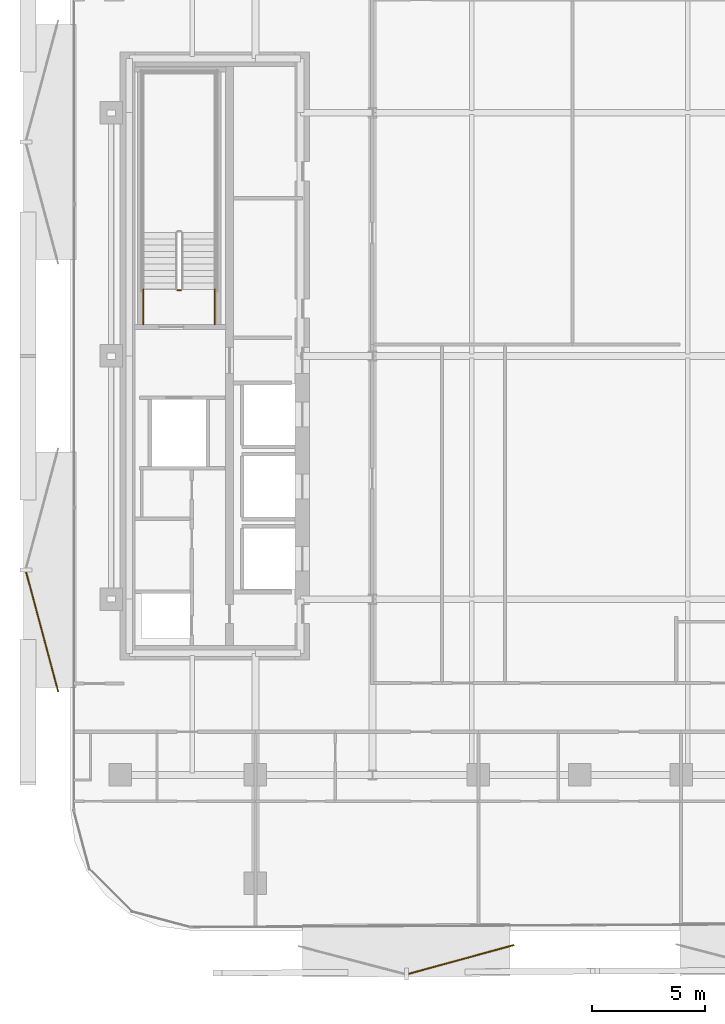
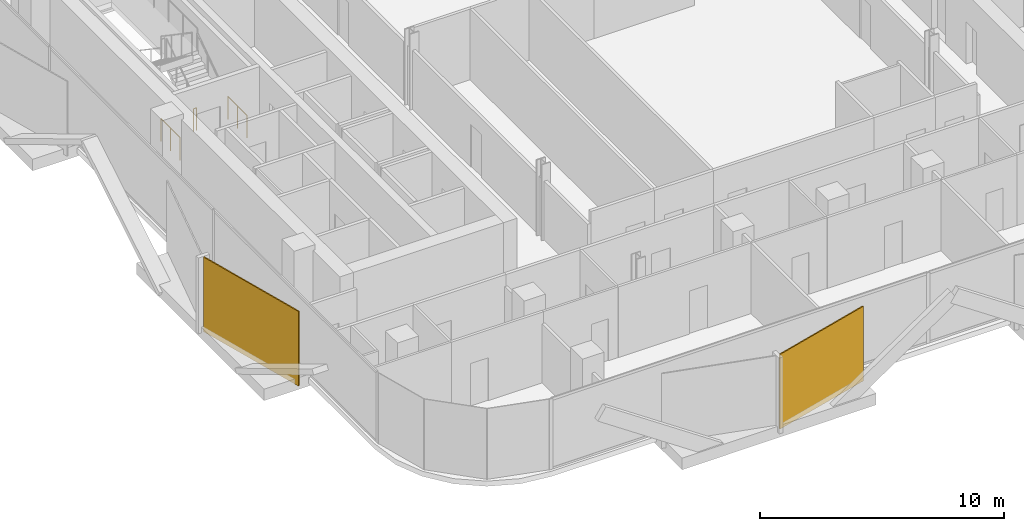
# One storey, part 13 of 17: 3 railings, 2 coverings.
"""IFC4 building model written with IfcOpenShell, lengths in metres."""

import ifcopenshell
import ifcopenshell.guid

model = None  # the IFC model being written
_history = None  # IfcOwnerHistory: only IFC2X3 demands one
_inside = {}  # id of a spatial element -> (the spatial element, [elements in it])
_under = {}  # id of a project, library or spatial element -> (it, [spatial elements below it])
_declared = {}  # id of a project -> (the project, [libraries it declares])
_typed = {}  # id of a type object -> (the type object, [elements of that type])
_made_of = {}  # id of a material, layer set ... -> (it, [elements and type objects made of it])


def new_model(schema):
    """Start an empty IFC model of exactly this schema.

    Asked for "IFC4X3", IfcOpenShell would pick the latest addendum, in which some entities
    have other attributes; the version numbers below select the first issue.
    IFC2X3 requires an IfcOwnerHistory on every rooted entity: one is made here for all.
    """
    global model, _history
    if schema == "IFC4X3":
        model = ifcopenshell.file(schema_version=(4, 3, 0, 0))
    else:
        model = ifcopenshell.file(schema=schema)
    _inside.clear()
    _under.clear()
    _declared.clear()
    _typed.clear()
    _made_of.clear()
    _history = None
    if model.schema == "IFC2X3":
        org = make("IfcOrganization", Name="unknown")
        user = make(
            "IfcPersonAndOrganization",
            ThePerson=make("IfcPerson", FamilyName="unknown"),
            TheOrganization=org,
        )
        app = make(
            "IfcApplication",
            ApplicationDeveloper=org,
            Version="unknown",
            ApplicationFullName="unknown",
            ApplicationIdentifier="unknown",
        )
        _history = make(
            "IfcOwnerHistory",
            OwningUser=user,
            OwningApplication=app,
            ChangeAction="ADDED",
            CreationDate=0,
        )
    return model


def make(cls, **values):
    """One entity of the class cls with the attributes given. An attribute that is None is left unset."""
    return model.create_entity(
        cls, **{name: value for name, value in values.items() if value is not None}
    )


def rooted(cls, **values):
    """An entity with a GlobalId (a new one), such as an element, a storey or a relation."""
    return make(cls, GlobalId=ifcopenshell.guid.new(), OwnerHistory=_history, **values)


def si_unit(unit_type, name, prefix=None):
    """IfcSIUnit, for example si_unit("LENGTHUNIT", "METRE", prefix="MILLI")."""
    return make("IfcSIUnit", UnitType=unit_type, Prefix=prefix, Name=name)


def assignment(units):
    """IfcUnitAssignment: the units of a project."""
    return None if units is None else make("IfcUnitAssignment", Units=units)


def point(xyz):
    """IfcCartesianPoint."""
    return None if xyz is None else make("IfcCartesianPoint", Coordinates=xyz)


def direction(xyz):
    """IfcDirection."""
    return None if xyz is None else make("IfcDirection", DirectionRatios=xyz)


def frame(location, z_axis=None, x_axis=None):
    """IfcAxis2Placement3D, a coordinate frame: its origin and axes. An axis left out is left unset."""
    return make(
        "IfcAxis2Placement3D",
        Location=point(location),
        Axis=direction(z_axis),
        RefDirection=direction(x_axis),
    )


def frame_2d(location, x_axis=None):
    """IfcAxis2Placement2D, a coordinate frame in the plane: its origin and x axis."""
    return make(
        "IfcAxis2Placement2D", Location=point(location), RefDirection=direction(x_axis)
    )


def origin():
    """The frame at (0, 0, 0) with its axes left unset."""
    return frame((0.0, 0.0, 0.0))


def origin_2d():
    """The frame at (0, 0) in the plane with its x axis left unset."""
    return frame_2d((0.0, 0.0))


def place(relative_to, where):
    """IfcLocalPlacement: puts the frame where relative to a parent placement (None: the world)."""
    return make(
        "IfcLocalPlacement", PlacementRelTo=relative_to, RelativePlacement=where
    )


def context(
    kind, dimensions, precision=None, world=None, true_north=None, identifier=None
):
    """IfcGeometricRepresentationContext, for example the 3D "Model" context."""
    return make(
        "IfcGeometricRepresentationContext",
        ContextIdentifier=identifier,
        ContextType=kind,
        CoordinateSpaceDimension=dimensions,
        Precision=precision,
        WorldCoordinateSystem=world,
        TrueNorth=true_north,
    )


def subcontext(parent, identifier, kind, view, scale=None):
    """IfcGeometricRepresentationSubContext, for example "Body" below "Model"."""
    return make(
        "IfcGeometricRepresentationSubContext",
        ContextIdentifier=identifier,
        ContextType=kind,
        ParentContext=parent,
        TargetScale=scale,
        TargetView=view,
    )


def project(units=None, contexts=None):
    """IfcProject with its units and contexts."""
    return rooted(
        "IfcProject",
        Name="project",
        RepresentationContexts=contexts,
        UnitsInContext=assignment(units),
    )


def spatial(cls, under=None, at=None, **own):
    """A site, building, storey or space (cls), placed at a placement, below another one or the project."""
    s = rooted(cls, ObjectPlacement=at, **own)
    if under is not None:
        _under.setdefault(under.id(), (under, []))[1].append(s)
    return s


def profile(cls, at=None, kind="AREA", **sizes):
    """A parametric profile (cls). Its sizes go by their IFC names, for example OverallWidth=200.0."""
    return make(cls, ProfileType=kind, Position=at, **sizes)


def rectangle(**sizes):
    """IfcRectangleProfileDef."""
    return profile("IfcRectangleProfileDef", **sizes)


def circle(**sizes):
    """IfcCircleProfileDef."""
    return profile("IfcCircleProfileDef", **sizes)


def extrude(swept, where, along, depth):
    """IfcExtrudedAreaSolid: the profile swept, set in the frame where, extruded along a direction by depth."""
    return make(
        "IfcExtrudedAreaSolid",
        SweptArea=swept,
        Position=where,
        ExtrudedDirection=direction(along),
        Depth=depth,
    )


def shape(context_of_items, identifier, shape_type, items):
    """IfcShapeRepresentation: the items that make up one representation, for example the "Body"."""
    return make(
        "IfcShapeRepresentation",
        ContextOfItems=context_of_items,
        RepresentationIdentifier=identifier,
        RepresentationType=shape_type,
        Items=items,
    )


def material(Name=None, Category=None):
    """IfcMaterial."""
    return make("IfcMaterial", Name=Name, Category=Category)


def layer(
    of_material, thickness, ventilated=None, Name=None, Category=None, Priority=None
):
    """IfcMaterialLayer: one layer of a wall or slab, of a material (None: an air gap)."""
    return make(
        "IfcMaterialLayer",
        Material=of_material,
        LayerThickness=thickness,
        IsVentilated=ventilated,
        Name=Name,
        Category=Category,
        Priority=Priority,
    )


def layer_set(layers, Name=None):
    """IfcMaterialLayerSet."""
    return make("IfcMaterialLayerSet", MaterialLayers=layers, LayerSetName=Name)


def made_of(thing, what):
    """Note that an element or type object is made of a material, layer set ...; save() writes the relation."""
    if what is not None:
        _made_of.setdefault(what.id(), (what, []))[1].append(thing)
    return thing


def type_object(cls, material=None, **own):
    """A type object (cls), such as IfcWallType, which elements share."""
    return made_of(rooted(cls, **own), material)


def element(
    cls,
    number,
    at=None,
    inside=None,
    cuts=None,
    type_object=None,
    material=None,
    context=None,
    identifier="Body",
    shape_type=None,
    held_by="IfcProductDefinitionShape",
    body=None,
    shapes=None,
    **own,
):
    """One element of the class cls, such as IfcWall. Its Tag is "e" and its number.

    at: its placement. inside: the storey or other place that contains it. cuts: it is an
    opening in that element (IfcRelVoidsElement). A single representation is given by context,
    identifier, shape_type and body (its items); several are given by shapes. held_by: the class
    of the entity that holds the representations. save() writes the other relations.
    """
    e = rooted(cls, Tag="e%d" % number, ObjectPlacement=at, **own)
    if body is not None:
        shapes = [shape(context, identifier, shape_type, body)]
    if shapes is not None:
        e.Representation = make(held_by, Representations=shapes)
    if inside is not None:
        _inside.setdefault(inside.id(), (inside, []))[1].append(e)
    if cuts is not None:
        rooted(
            "IfcRelVoidsElement", RelatingBuildingElement=cuts, RelatedOpeningElement=e
        )
    if type_object is not None:
        _typed.setdefault(type_object.id(), (type_object, []))[1].append(e)
    return made_of(e, material)


def aggregate(whole, parts):
    """IfcRelAggregates: a whole, such as a stair, and the parts it consists of."""
    return rooted("IfcRelAggregates", RelatingObject=whole, RelatedObjects=parts)


def save(model, path):
    """Write the relations noted so far, then the file.

    IfcRelAggregates (storeys below a building ...), IfcRelContainedInSpatialStructure (elements
    in a storey), IfcRelDefinesByType, IfcRelAssociatesMaterial and IfcRelDeclares: one each for
    every whole, place, type object, material and project.
    """
    for whole, parts in _under.values():
        aggregate(whole, parts)
    for where, things in _inside.values():
        rooted(
            "IfcRelContainedInSpatialStructure",
            RelatedElements=things,
            RelatingStructure=where,
        )
    for kind, things in _typed.values():
        rooted("IfcRelDefinesByType", RelatedObjects=things, RelatingType=kind)
    for what, things in _made_of.values():
        rooted("IfcRelAssociatesMaterial", RelatedObjects=things, RelatingMaterial=what)
    for by, libraries in _declared.values():
        rooted("IfcRelDeclares", RelatingContext=by, RelatedDefinitions=libraries)
    model.write(path)


model = new_model("IFC4")

# Units and contexts
model_context = context("Model", 3, precision=1e-05, world=origin(), true_north=direction((0.0, 1.0)))
body_context = subcontext(model_context, "Body", "Model", "MODEL_VIEW")
ifc_project = project(units=[si_unit("LENGTHUNIT", "METRE"), si_unit("AREAUNIT", "SQUARE_METRE"), si_unit("VOLUMEUNIT", "CUBIC_METRE"), si_unit("PLANEANGLEUNIT", "RADIAN"), si_unit("MASSUNIT", "GRAM", prefix="KILO")], contexts=[model_context])

# Site, building, storey
site_placement = place(None, origin())
site = spatial("IfcSite", under=ifc_project, at=site_placement, CompositionType="ELEMENT")
building_placement = place(site_placement, origin())
building = spatial("IfcBuilding", under=site, at=building_placement, Name="Khairoan Windgate Tower", CompositionType="ELEMENT")
storey_placement = place(building_placement, frame((0.0, 0.0, 180.199951171875)))
storey = spatial("IfcBuildingStorey", under=building, at=storey_placement, Name="L41", CompositionType="ELEMENT", Elevation=180.199951171875)

# Coverings
ifc_material_1 = material(Name="Anodised Bronze Aluminium 6063-T6", Category="aluminium")
ifc_layer = layer(ifc_material_1, 0.054931640625, Name="Anodised Bronze Aluminium 6063-T6")
ifc_layer_set = layer_set([ifc_layer], Name="Anodised Bronze Aluminium 6063-T6")
covering_type = type_object("IfcCoveringType", Name="Perforated Bronze-Ceramic Folded Solar Screen Cladding BSC-1", PredefinedType="CLADDING", material=ifc_layer_set)
covering_1_placement = place(storey_placement, frame((-5.264404296875, -26.791748046875, -0.10009765625), z_axis=(0.0, 0.0, 1.0), x_axis=(-0.964649468762, -0.263536339841, 0.0)))
element("IfcCovering", 1, at=covering_1_placement, inside=storey, type_object=covering_type, Name="L41 Folded Bronze Solar Screen Facet 266L", PredefinedType="CLADDING", context=body_context, shape_type="SweptSolid", body=[
    extrude(rectangle(XDim=4.861083984375, YDim=0.054931640625, at=origin_2d()), origin(), (0.0, 0.0, 1.0), 3.739990234375),
])
covering_2_placement = place(storey_placement, frame((-23.8671875, -12.2451171875, -0.10009765625), z_axis=(0.0, 0.0, 1.0), x_axis=(-0.258819045103, 0.965925826289, 0.0)))
element("IfcCovering", 2, at=covering_2_placement, inside=storey, type_object=covering_type, Name="L41 Folded Bronze Solar Screen Facet 267L", PredefinedType="CLADDING", context=body_context, shape_type="SweptSolid", body=[
    extrude(rectangle(XDim=5.507080078125, YDim=0.054931640625, at=origin_2d()), origin(), (0.0, 0.0, 1.0), 3.739990234375),
])

# Railings
ifc_material_2 = material(Name="Steel S355", Category="steel")
railing_type = type_object("IfcRailingType", Name="Stairwell Safety Guardrail SGR-1150", PredefinedType="GUARDRAIL", material=ifc_material_2)
railing_placement = place(storey_placement, frame((-17.7099609375, 2.909912109375, 0.0)))
element("IfcRailing", 3, at=railing_placement, inside=storey, type_object=railing_type, Name="L41 ST2 stair guard 7", PredefinedType="GUARDRAIL", context=body_context, shape_type="SweptSolid", body=[
    extrude(circle(Radius=0.02392578125, at=origin_2d()), frame((0.0, 0.0, 1.1259765625), z_axis=(-1.0, 0.0, 0.0), x_axis=(0.0, -1.0, 0.0)), (0.0, 0.0, 1.0), 0.150146484375),
    extrude(circle(Radius=0.02099609375, at=origin_2d()), origin(), (0.0, 0.0, 1.0), 1.101806640625),
    extrude(circle(Radius=0.02099609375, at=origin_2d()), frame((-0.150146484375, 0.0, 0.0)), (0.0, 0.0, 1.0), 1.101806640625),
])
for number, where, name in (
    (4, (-16.199951171875, 1.39990234375, 0.0), "L41 ST2 stair guard 8"),
    (5, (-19.3701171875, 1.39990234375, 0.0), "L41 ST2 stair guard 9"),
):
    element("IfcRailing", number, at=place(storey_placement, frame(where)), inside=storey, type_object=railing_type, Name=name, PredefinedType="GUARDRAIL", context=body_context, shape_type="SweptSolid", body=[
        extrude(circle(Radius=0.02392578125, at=origin_2d()), frame((0.0, 0.0, 1.1259765625), z_axis=(0.0, 1.0, 0.0), x_axis=(-1.0, 0.0, 0.0)), (0.0, 0.0, 1.0), 1.56005859375),
        extrude(circle(Radius=0.02099609375, at=origin_2d()), origin(), (0.0, 0.0, 1.0), 1.101806640625),
        extrude(circle(Radius=0.02099609375, at=origin_2d()), frame((0.0, 0.780029296875, 0.0)), (0.0, 0.0, 1.0), 1.101806640625),
        extrude(circle(Radius=0.02099609375, at=origin_2d()), frame((0.0, 1.56005859375, 0.0)), (0.0, 0.0, 1.0), 1.101806640625),
    ])

save(model, "model.ifc")
